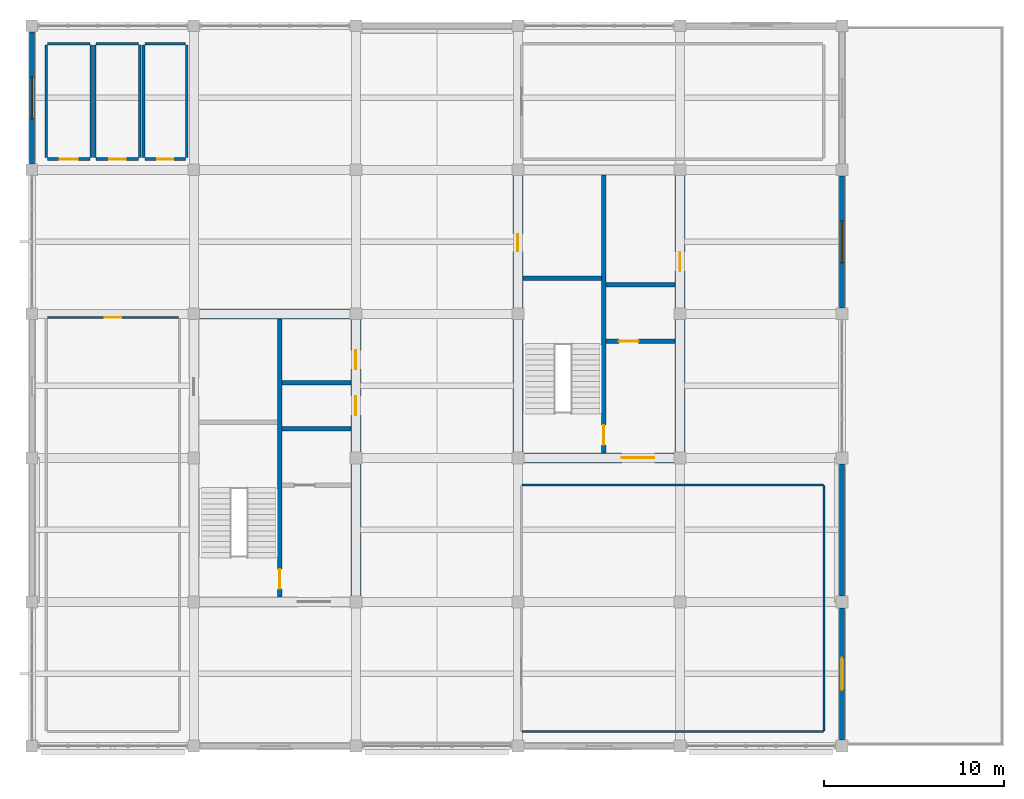
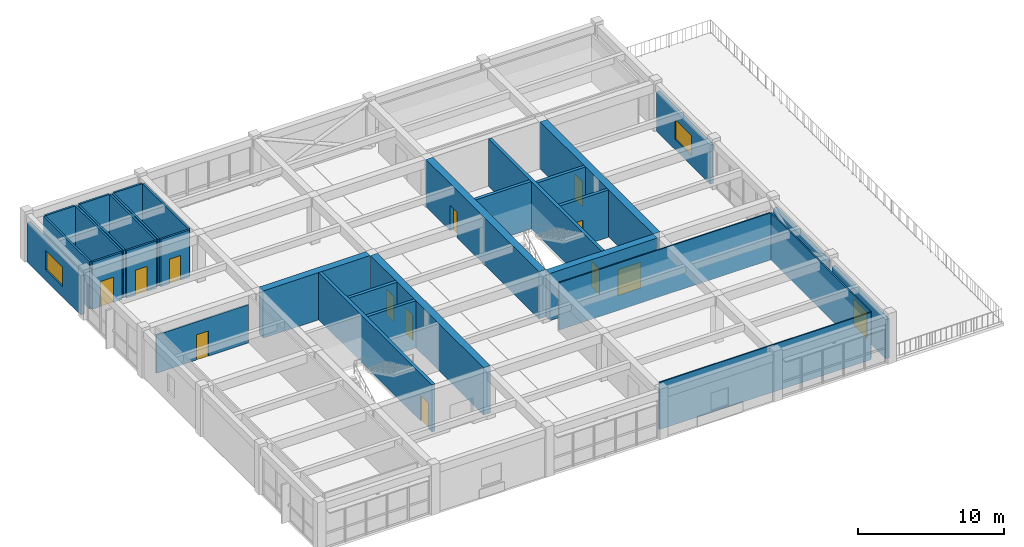
# One storey, part 9 of 12: 32 walls, 13 doors, 2 windows, 15 openings.
"""IFC4 building model written with IfcOpenShell, lengths in metres."""

from ifc_helpers import new_model, si_unit, direction, frame, frame_2d, origin, place, context, subcontext, project, spatial, rectangle, extrude, material, layer, layer_set, type_object, element, fill, save


model = new_model("IFC4")

# Units and contexts
model_context = context("Model", 3, precision=1e-05, world=origin(), true_north=direction((0.0, 1.0)))
body_context = subcontext(model_context, "Body", "Model", "MODEL_VIEW")
ifc_project = project(units=[si_unit("LENGTHUNIT", "METRE"), si_unit("AREAUNIT", "SQUARE_METRE"), si_unit("VOLUMEUNIT", "CUBIC_METRE"), si_unit("PLANEANGLEUNIT", "RADIAN"), si_unit("MASSUNIT", "GRAM", prefix="KILO")], contexts=[model_context])

# Site, building, storey
site_placement = place(None, origin())
site = spatial("IfcSite", under=ifc_project, at=site_placement, CompositionType="ELEMENT")
building_placement = place(site_placement, origin())
building = spatial("IfcBuilding", under=site, at=building_placement, Name="Zaverband Oceanarium and Marine Research Institute", CompositionType="ELEMENT")
storey_placement = place(building_placement, frame((0.0, 0.0, 68.699951171875)))
storey = spatial("IfcBuildingStorey", under=building, at=storey_placement, Name="L17", CompositionType="ELEMENT", Elevation=68.699951171875)

# Wall
ifc_material_1 = material(Name="Concrete C50/60", Category="concrete")
ifc_layer_1 = layer(ifc_material_1, 0.550048828125, Name="Concrete C50/60")
ifc_layer_set_1 = layer_set([ifc_layer_1], Name="Concrete C50/60")
wall_type_1 = type_object("IfcWallType", Name="CW-01", PredefinedType="SHEAR", material=ifc_layer_set_1)
wall_1_placement = place(storey_placement, frame((18.27490234375, 96.0, 0.0), z_axis=(0.0, 0.0, 1.0), x_axis=(1.0, 0.0, 0.0)))
element("IfcWall", 1, at=wall_1_placement, inside=storey, type_object=wall_type_1, Name="Structural shear wall CW-01", PredefinedType="SHEAR", context=body_context, shape_type="SweptSolid", body=[
    extrude(rectangle(XDim=8.4501953125, YDim=0.550048828125, at=frame_2d((4.22509765625, 0.0))), origin(), (0.0, 0.0, 1.0), 3.93994140625),
])

# Wall, openings, doors
wall_2_placement = place(storey_placement, frame((27.0, 80.27490234375, 0.0), z_axis=(0.0, 0.0, 1.0), x_axis=(0.0, 1.0, 0.0)))
wall_2 = element("IfcWall", 2, at=wall_2_placement, inside=storey, type_object=wall_type_1, Name="Structural shear wall CW-01", PredefinedType="SHEAR", context=body_context, shape_type="SweptSolid", body=[
    extrude(rectangle(XDim=15.4501953125, YDim=0.550048828125, at=frame_2d((7.72509765625, 0.0))), origin(), (0.0, 0.0, 1.0), 3.93994140625),
])
opening_1_placement = place(wall_2_placement, frame((10.10009765625, 0.0, 0.0)))
opening_1 = element("IfcOpeningElement", 3, at=opening_1_placement, cuts=wall_2, Name="Opening LD-02", PredefinedType="OPENING", context=body_context, shape_type="SweptSolid", body=[
    extrude(rectangle(XDim=1.050048828125, YDim=2.1201171875, at=frame_2d((0.52490234375, 1.06005859375))), frame((0.0, 0.287109375, 0.0), z_axis=(0.0, -1.0, 0.0), x_axis=(1.0, 0.0, 0.0)), (0.0, 0.0, 1.0), 0.573974609375),
])
opening_2_placement = place(wall_2_placement, frame((12.64990234375, 0.0, 0.0)))
opening_2 = element("IfcOpeningElement", 4, at=opening_2_placement, cuts=wall_2, Name="Opening LD-02", PredefinedType="OPENING", context=body_context, shape_type="SweptSolid", body=[
    extrude(rectangle(XDim=1.050048828125, YDim=2.1201171875, at=frame_2d((0.52490234375, 1.06005859375))), frame((0.0, 0.287109375, 0.0), z_axis=(0.0, -1.0, 0.0), x_axis=(1.0, 0.0, 0.0)), (0.0, 0.0, 1.0), 0.573974609375),
])
ifc_material_2 = material(Name="Steel S355", Category="steel")
door_type_1 = type_object("IfcDoorType", Name="LD-02", OperationType="DOUBLE_DOOR_SLIDING", PredefinedType="DOOR", material=ifc_material_2)
door_1_placement = place(opening_1_placement, origin())
door_1 = element("IfcDoor", 5, at=door_1_placement, inside=storey, type_object=door_type_1, Name="Passenger lift sliding landing door LD-02", OperationType="DOUBLE_DOOR_SLIDING", OverallHeight=2.1201171875, OverallWidth=1.050048828125, PredefinedType="DOOR", context=body_context, shape_type="SweptSolid", body=[
    extrude(rectangle(XDim=1.050048828125, YDim=2.1201171875, at=frame_2d((0.52490234375, 1.06005859375))), frame((0.0, 0.02490234375, 0.0), z_axis=(0.0, -1.0, 0.0), x_axis=(1.0, 0.0, 0.0)), (0.0, 0.0, 1.0), 0.050048828125),
])
fill(opening_1, door_1)
door_2_placement = place(opening_2_placement, origin())
door_2 = element("IfcDoor", 6, at=door_2_placement, inside=storey, type_object=door_type_1, Name="Passenger lift sliding landing door LD-02", OperationType="DOUBLE_DOOR_SLIDING", OverallHeight=2.1201171875, OverallWidth=1.050048828125, PredefinedType="DOOR", context=body_context, shape_type="SweptSolid", body=[
    extrude(rectangle(XDim=1.050048828125, YDim=2.1201171875, at=frame_2d((0.52490234375, 1.06005859375))), frame((0.0, 0.02490234375, 0.0), z_axis=(0.0, -1.0, 0.0), x_axis=(1.0, 0.0, 0.0)), (0.0, 0.0, 1.0), 0.050048828125),
])
fill(opening_2, door_2)

# Wall, opening, door
wall_3_placement = place(storey_placement, frame((36.27490234375, 88.0, 0.0), z_axis=(0.0, 0.0, 1.0), x_axis=(1.0, 0.0, 0.0)))
wall_3 = element("IfcWall", 7, at=wall_3_placement, inside=storey, type_object=wall_type_1, Name="Structural shear wall CW-01", PredefinedType="SHEAR", context=body_context, shape_type="SweptSolid", body=[
    extrude(rectangle(XDim=8.4501953125, YDim=0.550048828125, at=frame_2d((4.22509765625, 0.0))), origin(), (0.0, 0.0, 1.0), 3.93994140625),
])
opening_3_placement = place(wall_3_placement, frame((5.5, 0.0, 0.0)))
opening_3 = element("IfcOpeningElement", 8, at=opening_3_placement, cuts=wall_3, Name="Opening FD-02", PredefinedType="OPENING", context=body_context, shape_type="SweptSolid", body=[
    extrude(rectangle(XDim=1.800048828125, YDim=2.179931640625, at=frame_2d((0.89990234375, 1.08984375))), frame((0.0, 0.287109375, 0.0), z_axis=(0.0, -1.0, 0.0), x_axis=(1.0, 0.0, 0.0)), (0.0, 0.0, 1.0), 0.573974609375),
])
door_type_2 = type_object("IfcDoorType", Name="FD-02", OperationType="DOUBLE_DOOR_SINGLE_SWING", PredefinedType="DOOR", material=ifc_material_2)
door_3_placement = place(opening_3_placement, origin())
door_3 = element("IfcDoor", 9, at=door_3_placement, inside=storey, type_object=door_type_2, Name="Protected lobby double fire door FD-02", OperationType="DOUBLE_DOOR_SINGLE_SWING", OverallHeight=2.179931640625, OverallWidth=1.800048828125, PredefinedType="DOOR", context=body_context, shape_type="SweptSolid", body=[
    extrude(rectangle(XDim=1.800048828125, YDim=2.179931640625, at=frame_2d((0.89990234375, 1.08984375))), frame((0.0, 0.02490234375, 0.0), z_axis=(0.0, -1.0, 0.0), x_axis=(1.0, 0.0, 0.0)), (0.0, 0.0, 1.0), 0.050048828125),
])
fill(opening_3, door_3)

wall_4_placement = place(storey_placement, frame((36.0, 88.27490234375, 0.0), z_axis=(0.0, 0.0, 1.0), x_axis=(0.0, 1.0, 0.0)))
wall_4 = element("IfcWall", 10, at=wall_4_placement, inside=storey, type_object=wall_type_1, Name="Structural shear wall CW-01", PredefinedType="SHEAR", context=body_context, shape_type="SweptSolid", body=[
    extrude(rectangle(XDim=15.4501953125, YDim=0.550048828125, at=frame_2d((7.72509765625, 0.0))), origin(), (0.0, 0.0, 1.0), 3.93994140625),
])
opening_4_placement = place(wall_4_placement, frame((11.199951171875, 0.0, 0.0)))
opening_4 = element("IfcOpeningElement", 11, at=opening_4_placement, cuts=wall_4, Name="Opening FD-03", PredefinedType="OPENING", context=body_context, shape_type="SweptSolid", body=[
    extrude(rectangle(XDim=0.949951171875, YDim=2.10009765625, at=frame_2d((0.47509765625, 1.050048828125))), frame((0.0, 0.287109375, 0.0), z_axis=(0.0, -1.0, 0.0), x_axis=(1.0, 0.0, 0.0)), (0.0, 0.0, 1.0), 0.573974609375),
])
door_type_3 = type_object("IfcDoorType", Name="FD-03", OperationType="NOTDEFINED", PredefinedType="DOOR", material=ifc_material_2)
door_4_placement = place(opening_4_placement, origin())
door_4 = element("IfcDoor", 12, at=door_4_placement, inside=storey, type_object=door_type_3, Name="Service riser access fire door FD-03", OperationType="SINGLE_SWING_RIGHT", OverallHeight=2.10009765625, OverallWidth=0.949951171875, PredefinedType="DOOR", context=body_context, shape_type="SweptSolid", body=[
    extrude(rectangle(XDim=0.949951171875, YDim=2.10009765625, at=frame_2d((0.47509765625, 1.050048828125))), frame((0.0, 0.02490234375, 0.0), z_axis=(0.0, -1.0, 0.0), x_axis=(1.0, 0.0, 0.0)), (0.0, 0.0, 1.0), 0.050048828125),
])
fill(opening_4, door_4)

wall_5_placement = place(storey_placement, frame((45.0, 88.27490234375, 0.0), z_axis=(0.0, 0.0, 1.0), x_axis=(0.0, 1.0, 0.0)))
wall_5 = element("IfcWall", 13, at=wall_5_placement, inside=storey, type_object=wall_type_1, Name="Structural shear wall CW-01", PredefinedType="SHEAR", context=body_context, shape_type="SweptSolid", body=[
    extrude(rectangle(XDim=15.4501953125, YDim=0.550048828125, at=frame_2d((7.72509765625, 0.0))), origin(), (0.0, 0.0, 1.0), 3.93994140625),
])
opening_5_placement = place(wall_5_placement, frame((10.10009765625, 0.0, 0.0)))
opening_5 = element("IfcOpeningElement", 14, at=opening_5_placement, cuts=wall_5, Name="Opening LD-02", PredefinedType="OPENING", context=body_context, shape_type="SweptSolid", body=[
    extrude(rectangle(XDim=1.050048828125, YDim=2.1201171875, at=frame_2d((0.52490234375, 1.06005859375))), frame((0.0, 0.287109375, 0.0), z_axis=(0.0, -1.0, 0.0), x_axis=(1.0, 0.0, 0.0)), (0.0, 0.0, 1.0), 0.573974609375),
])
door_5_placement = place(opening_5_placement, origin())
door_5 = element("IfcDoor", 15, at=door_5_placement, inside=storey, type_object=door_type_1, Name="Passenger lift sliding landing door LD-02", OperationType="DOUBLE_DOOR_SLIDING", OverallHeight=2.1201171875, OverallWidth=1.050048828125, PredefinedType="DOOR", context=body_context, shape_type="SweptSolid", body=[
    extrude(rectangle(XDim=1.050048828125, YDim=2.1201171875, at=frame_2d((0.52490234375, 1.06005859375))), frame((0.0, 0.02490234375, 0.0), z_axis=(0.0, -1.0, 0.0), x_axis=(1.0, 0.0, 0.0)), (0.0, 0.0, 1.0), 0.050048828125),
])
fill(opening_5, door_5)

# Wall, opening, window
ifc_material_3 = material(Name="Concrete C40/50 precast", Category="concrete")
ifc_layer_2 = layer(ifc_material_3, 0.264892578125, Name="Concrete C40/50 precast")
ifc_layer_set_2 = layer_set([ifc_layer_2], Name="Concrete C40/50 precast")
wall_type_2 = type_object("IfcWallType", Name="EW-265", PredefinedType="STANDARD", material=ifc_layer_set_2)
wall_6_placement = place(storey_placement, frame((54.0, 96.330078125, 0.0), z_axis=(0.0, 0.0, 1.0), x_axis=(0.0, 1.0, 0.0)))
wall_6 = element("IfcWall", 16, at=wall_6_placement, inside=storey, type_object=wall_type_2, Name="Exterior infill wall EW-265", PredefinedType="STANDARD", context=body_context, shape_type="SweptSolid", body=[
    extrude(rectangle(XDim=7.33984375, YDim=0.264892578125, at=frame_2d((3.669921875, 0.0))), origin(), (0.0, 0.0, 1.0), 3.27001953125),
])
opening_6_placement = place(wall_6_placement, frame((2.52001953125, 0.0, 0.85009765625)))
opening_6 = element("IfcOpeningElement", 17, at=opening_6_placement, cuts=wall_6, Name="Opening WN-2300x1650", PredefinedType="OPENING", context=body_context, shape_type="SweptSolid", body=[
    extrude(rectangle(XDim=2.300048828125, YDim=1.64990234375, at=frame_2d((1.14990234375, 0.824951171875))), frame((0.0, 0.14453125, 0.0), z_axis=(0.0, -1.0, 0.0), x_axis=(1.0, 0.0, 0.0)), (0.0, 0.0, 1.0), 0.288818359375),
])
ifc_material_4 = material(Name="Thermally broken anodized aluminium and solar-control glass", Category="aluminium")
window_type = type_object("IfcWindowType", Name="WN-2300x1650", PartitioningType="SINGLE_PANEL", PredefinedType="WINDOW", material=ifc_material_4)
window_1_placement = place(opening_6_placement, origin())
window_1 = element("IfcWindow", 18, at=window_1_placement, inside=storey, type_object=window_type, Name="Fixed / casement exterior window WN-2300x1650", OverallHeight=1.64990234375, OverallWidth=2.300048828125, PartitioningType="SINGLE_PANEL", PredefinedType="WINDOW", context=body_context, shape_type="SweptSolid", body=[
    extrude(rectangle(XDim=2.300048828125, YDim=1.64990234375, at=frame_2d((1.14990234375, 0.824951171875))), frame((0.0, 0.030029296875, 0.0), z_axis=(0.0, -1.0, 0.0), x_axis=(1.0, 0.0, 0.0)), (0.0, 0.0, 1.0), 0.06005859375),
])
fill(opening_6, window_1)

ifc_layer_3 = layer(ifc_material_3, 0.2900390625, Name="Concrete C40/50 precast")
ifc_layer_set_3 = layer_set([ifc_layer_3], Name="Concrete C40/50 precast")
wall_type_3 = type_object("IfcWallType", Name="EW-290", PredefinedType="STANDARD", material=ifc_layer_set_3)
wall_7_placement = place(storey_placement, frame((9.0, 104.330078125, 0.0), z_axis=(0.0, 0.0, 1.0), x_axis=(0.0, 1.0, 0.0)))
wall_7 = element("IfcWall", 19, at=wall_7_placement, inside=storey, type_object=wall_type_3, Name="Exterior infill wall EW-290", PredefinedType="STANDARD", context=body_context, shape_type="SweptSolid", body=[
    extrude(rectangle(XDim=7.33984375, YDim=0.2900390625, at=frame_2d((3.669921875, 0.0))), origin(), (0.0, 0.0, 1.0), 3.27001953125),
])
opening_7_placement = place(wall_7_placement, frame((2.52001953125, 0.0, 0.85009765625)))
opening_7 = element("IfcOpeningElement", 20, at=opening_7_placement, cuts=wall_7, Name="Opening WN-2300x1650", PredefinedType="OPENING", context=body_context, shape_type="SweptSolid", body=[
    extrude(rectangle(XDim=2.300048828125, YDim=1.64990234375, at=frame_2d((1.14990234375, 0.824951171875))), frame((0.0, 0.156982421875, 0.0), z_axis=(0.0, -1.0, 0.0), x_axis=(1.0, 0.0, 0.0)), (0.0, 0.0, 1.0), 0.31396484375),
])
window_2_placement = place(opening_7_placement, origin())
window_2 = element("IfcWindow", 21, at=window_2_placement, inside=storey, type_object=window_type, Name="Fixed / casement exterior window WN-2300x1650", OverallHeight=1.64990234375, OverallWidth=2.300048828125, PartitioningType="SINGLE_PANEL", PredefinedType="WINDOW", context=body_context, shape_type="SweptSolid", body=[
    extrude(rectangle(XDim=2.300048828125, YDim=1.64990234375, at=frame_2d((1.14990234375, 0.824951171875))), frame((0.0, 0.030029296875, 0.0), z_axis=(0.0, -1.0, 0.0), x_axis=(1.0, 0.0, 0.0)), (0.0, 0.0, 1.0), 0.06005859375),
])
fill(opening_7, window_2)

# Wall, opening, door
wall_8_placement = place(storey_placement, frame((54.0, 72.330078125, 0.0), z_axis=(0.0, 0.0, 1.0), x_axis=(0.0, 1.0, 0.0)))
wall_8 = element("IfcWall", 22, at=wall_8_placement, inside=storey, type_object=wall_type_3, Name="Exterior infill wall EW-290", PredefinedType="STANDARD", context=body_context, shape_type="SweptSolid", body=[
    extrude(rectangle(XDim=7.33984375, YDim=0.2900390625, at=frame_2d((3.669921875, 0.0))), origin(), (0.0, 0.0, 1.0), 3.27001953125),
])
opening_8_placement = place(wall_8_placement, frame((2.77001953125, 0.0, 0.0)))
opening_8 = element("IfcOpeningElement", 23, at=opening_8_placement, cuts=wall_8, Name="Opening TD-1800x2200", PredefinedType="OPENING", context=body_context, shape_type="SweptSolid", body=[
    extrude(rectangle(XDim=1.800048828125, YDim=2.199951171875, at=frame_2d((0.89990234375, 1.10009765625))), frame((0.0, 0.156982421875, 0.0), z_axis=(0.0, -1.0, 0.0), x_axis=(1.0, 0.0, 0.0)), (0.0, 0.0, 1.0), 0.31396484375),
])
ifc_material_5 = material(Name="Thermally broken anodized aluminium and laminated glass", Category="aluminium")
door_type_4 = type_object("IfcDoorType", Name="TD-1800x2200", OperationType="DOUBLE_DOOR_SINGLE_SWING", PredefinedType="DOOR", material=ifc_material_5)
door_6_placement = place(opening_8_placement, frame((1.800048828125, 0.0, 0.0), z_axis=(0.0, 0.0, 1.0), x_axis=(-1.0, 0.0, 0.0)))
door_6 = element("IfcDoor", 24, at=door_6_placement, inside=storey, type_object=door_type_4, Name="Glazed double terrace door TD-1800x2200", OperationType="DOUBLE_DOOR_SINGLE_SWING", OverallHeight=2.199951171875, OverallWidth=1.800048828125, PredefinedType="DOOR", context=body_context, shape_type="SweptSolid", body=[
    extrude(rectangle(XDim=1.800048828125, YDim=2.199951171875, at=frame_2d((0.89990234375, 1.10009765625))), frame((0.0, 0.02490234375, 0.0), z_axis=(0.0, -1.0, 0.0), x_axis=(1.0, 0.0, 0.0)), (0.0, 0.0, 1.0), 0.050048828125),
])
fill(opening_8, door_6)

# Walls
wall_9_placement = place(storey_placement, frame((54.0, 80.330078125, 0.0), z_axis=(0.0, 0.0, 1.0), x_axis=(0.0, 1.0, 0.0)))
element("IfcWall", 25, at=wall_9_placement, inside=storey, type_object=wall_type_3, Name="Exterior infill wall EW-290", PredefinedType="STANDARD", context=body_context, shape_type="SweptSolid", body=[
    extrude(rectangle(XDim=7.33984375, YDim=0.2900390625, at=frame_2d((3.669921875, 0.0))), origin(), (0.0, 0.0, 1.0), 3.27001953125),
])
ifc_material_6 = material(Name="Framed fire-rated glass laboratory partition", Category="glass")
ifc_layer_4 = layer(ifc_material_6, 0.10009765625, Name="Framed fire-rated glass laboratory partition")
ifc_layer_set_4 = layer_set([ifc_layer_4], Name="Framed fire-rated glass laboratory partition")
wall_type_4 = type_object("IfcWallType", Name="PT-100-GL", PredefinedType="PARTITIONING", material=ifc_layer_set_4)
for number, where, z_axis, x_axis, name in (
    (26, (36.25, 72.800048828125, 0.0), (0.0, 0.0, 1.0), (1.0, 0.0, 0.0), "Internal partition PT-100-GL"),
    (27, (36.25, 86.5, 0.0), (0.0, 0.0, 1.0), (1.0, 0.0, 0.0), "Internal partition PT-100-GL"),
):
    element("IfcWall", number, at=place(storey_placement, frame(where, z_axis=z_axis, x_axis=x_axis)), inside=storey, type_object=wall_type_4, Name=name, PredefinedType="PARTITIONING", context=body_context, shape_type="SweptSolid", body=[
        extrude(rectangle(XDim=16.699951171875, YDim=0.10009765625, at=frame_2d((8.35009765625, 0.0))), origin(), (0.0, 0.0, 1.0), 3.93994140625),
    ])
wall_10_placement = place(storey_placement, frame((53.0, 72.85009765625, 0.0), z_axis=(0.0, 0.0, 1.0), x_axis=(0.0, 1.0, 0.0)))
element("IfcWall", 28, at=wall_10_placement, inside=storey, type_object=wall_type_4, Name="Internal partition PT-100-GL", PredefinedType="PARTITIONING", context=body_context, shape_type="SweptSolid", body=[
    extrude(rectangle(XDim=13.599853515625, YDim=0.10009765625, at=frame_2d((6.7998046875, 0.0))), origin(), (0.0, 0.0, 1.0), 3.93994140625),
])

# Wall, opening, door
ifc_material_7 = material(Name="Insulated metal-stud office partition")
ifc_layer_5 = layer(ifc_material_7, 0.1201171875, Name="Insulated metal-stud office partition")
ifc_layer_set_5 = layer_set([ifc_layer_5], Name="Insulated metal-stud office partition")
wall_type_5 = type_object("IfcWallType", Name="PT-120-OF", PredefinedType="PARTITIONING", material=ifc_layer_set_5)
wall_11_placement = place(storey_placement, frame((9.860107421875, 95.800048828125, 0.0), z_axis=(0.0, 0.0, 1.0), x_axis=(1.0, 0.0, 0.0)))
wall_11 = element("IfcWall", 29, at=wall_11_placement, inside=storey, type_object=wall_type_5, Name="Internal partition PT-120-OF", PredefinedType="PARTITIONING", context=body_context, shape_type="SweptSolid", body=[
    extrude(rectangle(XDim=7.27978515625, YDim=0.1201171875, at=frame_2d((3.639892578125, 0.0))), origin(), (0.0, 0.0, 1.0), 3.18994140625),
])
opening_9_placement = place(wall_11_placement, frame((3.175048828125, 0.0, 0.0)))
opening_9 = element("IfcOpeningElement", 30, at=opening_9_placement, cuts=wall_11, Name="Opening ID-930x2100", PredefinedType="OPENING", context=body_context, shape_type="SweptSolid", body=[
    extrude(rectangle(XDim=0.929931640625, YDim=2.10009765625, at=frame_2d((0.46484375, 1.050048828125))), frame((0.0, 0.072021484375, 0.0), z_axis=(0.0, -1.0, 0.0), x_axis=(1.0, 0.0, 0.0)), (0.0, 0.0, 1.0), 0.14404296875),
])
ifc_material_8 = material(Name="Hardwood-veneered acoustic timber", Category="wood")
door_type_5 = type_object("IfcDoorType", Name="ID-930x2100", OperationType="NOTDEFINED", PredefinedType="DOOR", material=ifc_material_8)
door_7_placement = place(opening_9_placement, origin())
door_7 = element("IfcDoor", 31, at=door_7_placement, inside=storey, type_object=door_type_5, Name="Directorate office door ID-930x2100", OperationType="SINGLE_SWING_LEFT", OverallHeight=2.10009765625, OverallWidth=0.929931640625, PredefinedType="DOOR", context=body_context, shape_type="SweptSolid", body=[
    extrude(rectangle(XDim=0.929931640625, YDim=2.10009765625, at=frame_2d((0.46484375, 1.050048828125))), frame((0.0, 0.02490234375, 0.0), z_axis=(0.0, -1.0, 0.0), x_axis=(1.0, 0.0, 0.0)), (0.0, 0.0, 1.0), 0.050048828125),
])
fill(opening_9, door_7)

ifc_material_9 = material(Name="Ceramic-tiled wet-room blockwork", Category="masonry")
ifc_layer_6 = layer(ifc_material_9, 0.14990234375, Name="Ceramic-tiled wet-room blockwork")
ifc_layer_set_6 = layer_set([ifc_layer_6], Name="Ceramic-tiled wet-room blockwork")
wall_type_6 = type_object("IfcWallType", Name="PT-150-WC", PredefinedType="PARTITIONING", material=ifc_layer_set_6)
wall_12_placement = place(storey_placement, frame((9.875, 104.60009765625, 0.0), z_axis=(0.0, 0.0, 1.0), x_axis=(1.0, 0.0, 0.0)))
wall_12 = element("IfcWall", 32, at=wall_12_placement, inside=storey, type_object=wall_type_6, Name="Internal partition PT-150-WC", PredefinedType="PARTITIONING", context=body_context, shape_type="SweptSolid", body=[
    extrude(rectangle(XDim=2.35009765625, YDim=0.14990234375, at=frame_2d((1.175048828125, 0.0))), origin(), (0.0, 0.0, 1.0), 3.93994140625),
])
opening_10_placement = place(wall_12_placement, frame((0.6650390625, 0.0, 0.0)))
opening_10 = element("IfcOpeningElement", 33, at=opening_10_placement, cuts=wall_12, Name="Opening ID-1020x2100", PredefinedType="OPENING", context=body_context, shape_type="SweptSolid", body=[
    extrude(rectangle(XDim=1.02001953125, YDim=2.10009765625, at=frame_2d((0.510009765625, 1.050048828125))), frame((0.0, 0.0869140625, 0.0), z_axis=(0.0, -1.0, 0.0), x_axis=(1.0, 0.0, 0.0)), (0.0, 0.0, 1.0), 0.173828125),
])
door_type_6 = type_object("IfcDoorType", Name="ID-1020x2100", OperationType="NOTDEFINED", PredefinedType="DOOR", material=ifc_material_8)
door_8_placement = place(opening_10_placement, frame((1.02001953125, 0.0, 0.0), z_axis=(0.0, 0.0, 1.0), x_axis=(-1.0, 0.0, 0.0)))
door_8 = element("IfcDoor", 34, at=door_8_placement, inside=storey, type_object=door_type_6, Name="Accessible WC outward-swing door ID-1020x2100", OperationType="SINGLE_SWING_LEFT", OverallHeight=2.10009765625, OverallWidth=1.02001953125, PredefinedType="DOOR", context=body_context, shape_type="SweptSolid", body=[
    extrude(rectangle(XDim=1.02001953125, YDim=2.10009765625, at=frame_2d((0.510009765625, 1.050048828125))), frame((0.0, 0.02490234375, 0.0), z_axis=(0.0, -1.0, 0.0), x_axis=(1.0, 0.0, 0.0)), (0.0, 0.0, 1.0), 0.050048828125),
])
fill(opening_10, door_8)

# Walls
wall_13_placement = place(storey_placement, frame((9.875, 111.0, 0.0), z_axis=(0.0, 0.0, 1.0), x_axis=(1.0, 0.0, 0.0)))
element("IfcWall", 35, at=wall_13_placement, inside=storey, type_object=wall_type_6, Name="Internal partition PT-150-WC", PredefinedType="PARTITIONING", context=body_context, shape_type="SweptSolid", body=[
    extrude(rectangle(XDim=2.35009765625, YDim=0.14990234375, at=frame_2d((1.175048828125, 0.0))), origin(), (0.0, 0.0, 1.0), 3.93994140625),
])
for number, where, z_axis, x_axis, name in (
    (36, (9.800048828125, 104.675048828125, 0.0), (0.0, 0.0, 1.0), (0.0, 1.0, 0.0), "Internal partition PT-150-WC"),
    (37, (12.300048828125, 104.675048828125, 0.0), (0.0, 0.0, 1.0), (0.0, 1.0, 0.0), "Internal partition PT-150-WC"),
):
    element("IfcWall", number, at=place(storey_placement, frame(where, z_axis=z_axis, x_axis=x_axis)), inside=storey, type_object=wall_type_6, Name=name, PredefinedType="PARTITIONING", context=body_context, shape_type="SweptSolid", body=[
        extrude(rectangle(XDim=6.25, YDim=0.14990234375, at=frame_2d((3.125, 0.0))), origin(), (0.0, 0.0, 1.0), 3.93994140625),
    ])

# Wall, opening, door
wall_14_placement = place(storey_placement, frame((12.574951171875, 104.60009765625, 0.0), z_axis=(0.0, 0.0, 1.0), x_axis=(1.0, 0.0, 0.0)))
wall_14 = element("IfcWall", 38, at=wall_14_placement, inside=storey, type_object=wall_type_6, Name="Internal partition PT-150-WC", PredefinedType="PARTITIONING", context=body_context, shape_type="SweptSolid", body=[
    extrude(rectangle(XDim=2.35009765625, YDim=0.14990234375, at=frame_2d((1.175048828125, 0.0))), origin(), (0.0, 0.0, 1.0), 3.93994140625),
])
opening_11_placement = place(wall_14_placement, frame((0.719970703125, 0.0, 0.0)))
opening_11 = element("IfcOpeningElement", 39, at=opening_11_placement, cuts=wall_14, Name="Opening ID-910x2080", PredefinedType="OPENING", context=body_context, shape_type="SweptSolid", body=[
    extrude(rectangle(XDim=0.909912109375, YDim=2.080078125, at=frame_2d((0.455078125, 1.0400390625))), frame((0.0, 0.0869140625, 0.0), z_axis=(0.0, -1.0, 0.0), x_axis=(1.0, 0.0, 0.0)), (0.0, 0.0, 1.0), 0.173828125),
])
door_type_7 = type_object("IfcDoorType", Name="ID-910x2080", OperationType="NOTDEFINED", PredefinedType="DOOR", material=ifc_material_8)
door_9_placement = place(opening_11_placement, origin())
door_9 = element("IfcDoor", 40, at=door_9_placement, inside=storey, type_object=door_type_7, Name="Sanitary washroom entrance door ID-910x2080", OperationType="SINGLE_SWING_RIGHT", OverallHeight=2.080078125, OverallWidth=0.909912109375, PredefinedType="DOOR", context=body_context, shape_type="SweptSolid", body=[
    extrude(rectangle(XDim=0.909912109375, YDim=2.080078125, at=frame_2d((0.455078125, 1.0400390625))), frame((0.0, 0.02490234375, 0.0), z_axis=(0.0, -1.0, 0.0), x_axis=(1.0, 0.0, 0.0)), (0.0, 0.0, 1.0), 0.050048828125),
])
fill(opening_11, door_9)

# Walls
wall_15_placement = place(storey_placement, frame((12.574951171875, 111.0, 0.0), z_axis=(0.0, 0.0, 1.0), x_axis=(1.0, 0.0, 0.0)))
element("IfcWall", 41, at=wall_15_placement, inside=storey, type_object=wall_type_6, Name="Internal partition PT-150-WC", PredefinedType="PARTITIONING", context=body_context, shape_type="SweptSolid", body=[
    extrude(rectangle(XDim=2.35009765625, YDim=0.14990234375, at=frame_2d((1.175048828125, 0.0))), origin(), (0.0, 0.0, 1.0), 3.93994140625),
])
for number, where, z_axis, x_axis, name in (
    (42, (12.5, 104.675048828125, 0.0), (0.0, 0.0, 1.0), (0.0, 1.0, 0.0), "Internal partition PT-150-WC"),
    (43, (15.0, 104.675048828125, 0.0), (0.0, 0.0, 1.0), (0.0, 1.0, 0.0), "Internal partition PT-150-WC"),
):
    element("IfcWall", number, at=place(storey_placement, frame(where, z_axis=z_axis, x_axis=x_axis)), inside=storey, type_object=wall_type_6, Name=name, PredefinedType="PARTITIONING", context=body_context, shape_type="SweptSolid", body=[
        extrude(rectangle(XDim=6.25, YDim=0.14990234375, at=frame_2d((3.125, 0.0))), origin(), (0.0, 0.0, 1.0), 3.93994140625),
    ])

# Wall, opening, door
wall_16_placement = place(storey_placement, frame((15.27490234375, 104.60009765625, 0.0), z_axis=(0.0, 0.0, 1.0), x_axis=(1.0, 0.0, 0.0)))
wall_16 = element("IfcWall", 44, at=wall_16_placement, inside=storey, type_object=wall_type_6, Name="Internal partition PT-150-WC", PredefinedType="PARTITIONING", context=body_context, shape_type="SweptSolid", body=[
    extrude(rectangle(XDim=2.25, YDim=0.14990234375, at=frame_2d((1.125, 0.0))), origin(), (0.0, 0.0, 1.0), 3.93994140625),
])
opening_12_placement = place(wall_16_placement, frame((0.679931640625, 0.0, 0.0)))
opening_12 = element("IfcOpeningElement", 45, at=opening_12_placement, cuts=wall_16, Name="Opening ID-890x2060", PredefinedType="OPENING", context=body_context, shape_type="SweptSolid", body=[
    extrude(rectangle(XDim=0.889892578125, YDim=2.06005859375, at=frame_2d((0.44482421875, 1.030029296875))), frame((0.0, 0.0869140625, 0.0), z_axis=(0.0, -1.0, 0.0), x_axis=(1.0, 0.0, 0.0)), (0.0, 0.0, 1.0), 0.173828125),
])
door_type_8 = type_object("IfcDoorType", Name="ID-890x2060", OperationType="NOTDEFINED", PredefinedType="DOOR", material=ifc_material_8)
door_10_placement = place(opening_12_placement, origin())
door_10 = element("IfcDoor", 46, at=door_10_placement, inside=storey, type_object=door_type_8, Name="Staff WC door ID-890x2060", OperationType="SINGLE_SWING_LEFT", OverallHeight=2.06005859375, OverallWidth=0.889892578125, PredefinedType="DOOR", context=body_context, shape_type="SweptSolid", body=[
    extrude(rectangle(XDim=0.889892578125, YDim=2.06005859375, at=frame_2d((0.44482421875, 1.030029296875))), frame((0.0, 0.02490234375, 0.0), z_axis=(0.0, -1.0, 0.0), x_axis=(1.0, 0.0, 0.0)), (0.0, 0.0, 1.0), 0.050048828125),
])
fill(opening_12, door_10)

# Walls
wall_17_placement = place(storey_placement, frame((15.27490234375, 111.0, 0.0), z_axis=(0.0, 0.0, 1.0), x_axis=(1.0, 0.0, 0.0)))
element("IfcWall", 47, at=wall_17_placement, inside=storey, type_object=wall_type_6, Name="Internal partition PT-150-WC", PredefinedType="PARTITIONING", context=body_context, shape_type="SweptSolid", body=[
    extrude(rectangle(XDim=2.25, YDim=0.14990234375, at=frame_2d((1.125, 0.0))), origin(), (0.0, 0.0, 1.0), 3.93994140625),
])
for number, where, z_axis, x_axis, name in (
    (48, (15.199951171875, 104.675048828125, 0.0), (0.0, 0.0, 1.0), (0.0, 1.0, 0.0), "Internal partition PT-150-WC"),
    (49, (17.60009765625, 104.675048828125, 0.0), (0.0, 0.0, 1.0), (0.0, 1.0, 0.0), "Internal partition PT-150-WC"),
):
    element("IfcWall", number, at=place(storey_placement, frame(where, z_axis=z_axis, x_axis=x_axis)), inside=storey, type_object=wall_type_6, Name=name, PredefinedType="PARTITIONING", context=body_context, shape_type="SweptSolid", body=[
        extrude(rectangle(XDim=6.25, YDim=0.14990234375, at=frame_2d((3.125, 0.0))), origin(), (0.0, 0.0, 1.0), 3.93994140625),
    ])

# Wall, opening, door
ifc_layer_7 = layer(ifc_material_1, 0.25, Name="Concrete C50/60")
ifc_layer_set_7 = layer_set([ifc_layer_7], Name="Concrete C50/60")
wall_type_7 = type_object("IfcWallType", Name="PW-CORE-250", PredefinedType="SOLIDWALL", material=ifc_layer_set_7)
wall_18_placement = place(storey_placement, frame((22.77490234375, 80.27490234375, 0.0), z_axis=(0.0, 0.0, 1.0), x_axis=(0.0, 1.0, 0.0)))
wall_18 = element("IfcWall", 50, at=wall_18_placement, inside=storey, type_object=wall_type_7, Name="Structural concrete wall PW-CORE-250", PredefinedType="SOLIDWALL", context=body_context, shape_type="SweptSolid", body=[
    extrude(rectangle(XDim=15.4501953125, YDim=0.25, at=frame_2d((7.72509765625, 0.0))), origin(), (0.0, 0.0, 1.0), 3.93994140625),
])
opening_13_placement = place(wall_18_placement, frame((0.449951171875, 0.0, 0.0)))
opening_13 = element("IfcOpeningElement", 51, at=opening_13_placement, cuts=wall_18, Name="Opening FD-01", PredefinedType="OPENING", context=body_context, shape_type="SweptSolid", body=[
    extrude(rectangle(XDim=1.10009765625, YDim=2.14990234375, at=frame_2d((0.550048828125, 1.074951171875))), frame((0.0, 0.136962890625, 0.0), z_axis=(0.0, -1.0, 0.0), x_axis=(1.0, 0.0, 0.0)), (0.0, 0.0, 1.0), 0.27392578125),
])
door_type_9 = type_object("IfcDoorType", Name="FD-01", OperationType="NOTDEFINED", PredefinedType="DOOR", material=ifc_material_2)
door_11_placement = place(opening_13_placement, origin())
door_11 = element("IfcDoor", 52, at=door_11_placement, inside=storey, type_object=door_type_9, Name="Core stair / lobby fire door FD-01", OperationType="SINGLE_SWING_RIGHT", OverallHeight=2.14990234375, OverallWidth=1.10009765625, PredefinedType="DOOR", context=body_context, shape_type="SweptSolid", body=[
    extrude(rectangle(XDim=1.10009765625, YDim=2.14990234375, at=frame_2d((0.550048828125, 1.074951171875))), frame((0.0, 0.02490234375, 0.0), z_axis=(0.0, -1.0, 0.0), x_axis=(1.0, 0.0, 0.0)), (0.0, 0.0, 1.0), 0.050048828125),
])
fill(opening_13, door_11)

# Walls
for number, where, z_axis, x_axis, name in (
    (53, (22.905029296875, 89.6298828125, 0.0), (0.0, 0.0, 1.0), (1.0, 0.0, 0.0), "Structural concrete wall PW-CORE-250"),
    (54, (22.905029296875, 92.179931640625, 0.0), (0.0, 0.0, 1.0), (1.0, 0.0, 0.0), "Structural concrete wall PW-CORE-250"),
):
    element("IfcWall", number, at=place(storey_placement, frame(where, z_axis=z_axis, x_axis=x_axis)), inside=storey, type_object=wall_type_7, Name=name, PredefinedType="SOLIDWALL", context=body_context, shape_type="SweptSolid", body=[
        extrude(rectangle(XDim=3.820068359375, YDim=0.25, at=frame_2d((1.91015625, 0.0))), origin(), (0.0, 0.0, 1.0), 3.93994140625),
    ])

# Wall, opening, door
wall_19_placement = place(storey_placement, frame((40.77490234375, 88.27490234375, 0.0), z_axis=(0.0, 0.0, 1.0), x_axis=(0.0, 1.0, 0.0)))
wall_19 = element("IfcWall", 55, at=wall_19_placement, inside=storey, type_object=wall_type_7, Name="Structural concrete wall PW-CORE-250", PredefinedType="SOLIDWALL", context=body_context, shape_type="SweptSolid", body=[
    extrude(rectangle(XDim=15.4501953125, YDim=0.25, at=frame_2d((7.72509765625, 0.0))), origin(), (0.0, 0.0, 1.0), 3.93994140625),
])
opening_14_placement = place(wall_19_placement, frame((0.449951171875, 0.0, 0.0)))
opening_14 = element("IfcOpeningElement", 56, at=opening_14_placement, cuts=wall_19, Name="Opening FD-01", PredefinedType="OPENING", context=body_context, shape_type="SweptSolid", body=[
    extrude(rectangle(XDim=1.10009765625, YDim=2.14990234375, at=frame_2d((0.550048828125, 1.074951171875))), frame((0.0, 0.136962890625, 0.0), z_axis=(0.0, -1.0, 0.0), x_axis=(1.0, 0.0, 0.0)), (0.0, 0.0, 1.0), 0.27392578125),
])
door_12_placement = place(opening_14_placement, origin())
door_12 = element("IfcDoor", 57, at=door_12_placement, inside=storey, type_object=door_type_9, Name="Core stair / lobby fire door FD-01", OperationType="SINGLE_SWING_RIGHT", OverallHeight=2.14990234375, OverallWidth=1.10009765625, PredefinedType="DOOR", context=body_context, shape_type="SweptSolid", body=[
    extrude(rectangle(XDim=1.10009765625, YDim=2.14990234375, at=frame_2d((0.550048828125, 1.074951171875))), frame((0.0, 0.02490234375, 0.0), z_axis=(0.0, -1.0, 0.0), x_axis=(1.0, 0.0, 0.0)), (0.0, 0.0, 1.0), 0.050048828125),
])
fill(opening_14, door_12)

# Wall
wall_20_placement = place(storey_placement, frame((36.27490234375, 97.97509765625, 0.0), z_axis=(0.0, 0.0, 1.0), x_axis=(1.0, 0.0, 0.0)))
element("IfcWall", 58, at=wall_20_placement, inside=storey, type_object=wall_type_7, Name="Structural concrete wall PW-CORE-250", PredefinedType="SOLIDWALL", context=body_context, shape_type="SweptSolid", body=[
    extrude(rectangle(XDim=4.3701171875, YDim=0.25, at=frame_2d((2.18505859375, 0.0))), origin(), (0.0, 0.0, 1.0), 3.93994140625),
])

# Wall, opening, door
wall_21_placement = place(storey_placement, frame((40.905029296875, 94.47509765625, 0.0), z_axis=(0.0, 0.0, 1.0), x_axis=(1.0, 0.0, 0.0)))
wall_21 = element("IfcWall", 59, at=wall_21_placement, inside=storey, type_object=wall_type_7, Name="Structural concrete wall PW-CORE-250", PredefinedType="SOLIDWALL", context=body_context, shape_type="SweptSolid", body=[
    extrude(rectangle(XDim=3.820068359375, YDim=0.25, at=frame_2d((1.91015625, 0.0))), origin(), (0.0, 0.0, 1.0), 3.93994140625),
])
opening_15_placement = place(wall_21_placement, frame((0.695068359375, 0.0, 0.0)))
opening_15 = element("IfcOpeningElement", 60, at=opening_15_placement, cuts=wall_21, Name="Opening LD-01", PredefinedType="OPENING", context=body_context, shape_type="SweptSolid", body=[
    extrude(rectangle(XDim=1.10009765625, YDim=2.1201171875, at=frame_2d((0.550048828125, 1.06005859375))), frame((0.0, 0.136962890625, 0.0), z_axis=(0.0, -1.0, 0.0), x_axis=(1.0, 0.0, 0.0)), (0.0, 0.0, 1.0), 0.27392578125),
])
door_type_10 = type_object("IfcDoorType", Name="LD-01", OperationType="DOUBLE_DOOR_SLIDING", PredefinedType="DOOR", material=ifc_material_2)
door_13_placement = place(opening_15_placement, origin())
door_13 = element("IfcDoor", 61, at=door_13_placement, inside=storey, type_object=door_type_10, Name="Firefighting lift sliding landing door LD-01", OperationType="DOUBLE_DOOR_SLIDING", OverallHeight=2.1201171875, OverallWidth=1.10009765625, PredefinedType="DOOR", context=body_context, shape_type="SweptSolid", body=[
    extrude(rectangle(XDim=1.10009765625, YDim=2.1201171875, at=frame_2d((0.550048828125, 1.06005859375))), frame((0.0, 0.02490234375, 0.0), z_axis=(0.0, -1.0, 0.0), x_axis=(1.0, 0.0, 0.0)), (0.0, 0.0, 1.0), 0.050048828125),
])
fill(opening_15, door_13)

# Wall
wall_22_placement = place(storey_placement, frame((40.905029296875, 97.6298828125, 0.0), z_axis=(0.0, 0.0, 1.0), x_axis=(1.0, 0.0, 0.0)))
element("IfcWall", 62, at=wall_22_placement, inside=storey, type_object=wall_type_7, Name="Structural concrete wall PW-CORE-250", PredefinedType="SOLIDWALL", context=body_context, shape_type="SweptSolid", body=[
    extrude(rectangle(XDim=3.820068359375, YDim=0.25, at=frame_2d((1.91015625, 0.0))), origin(), (0.0, 0.0, 1.0), 3.93994140625),
])

save(model, "model.ifc")
